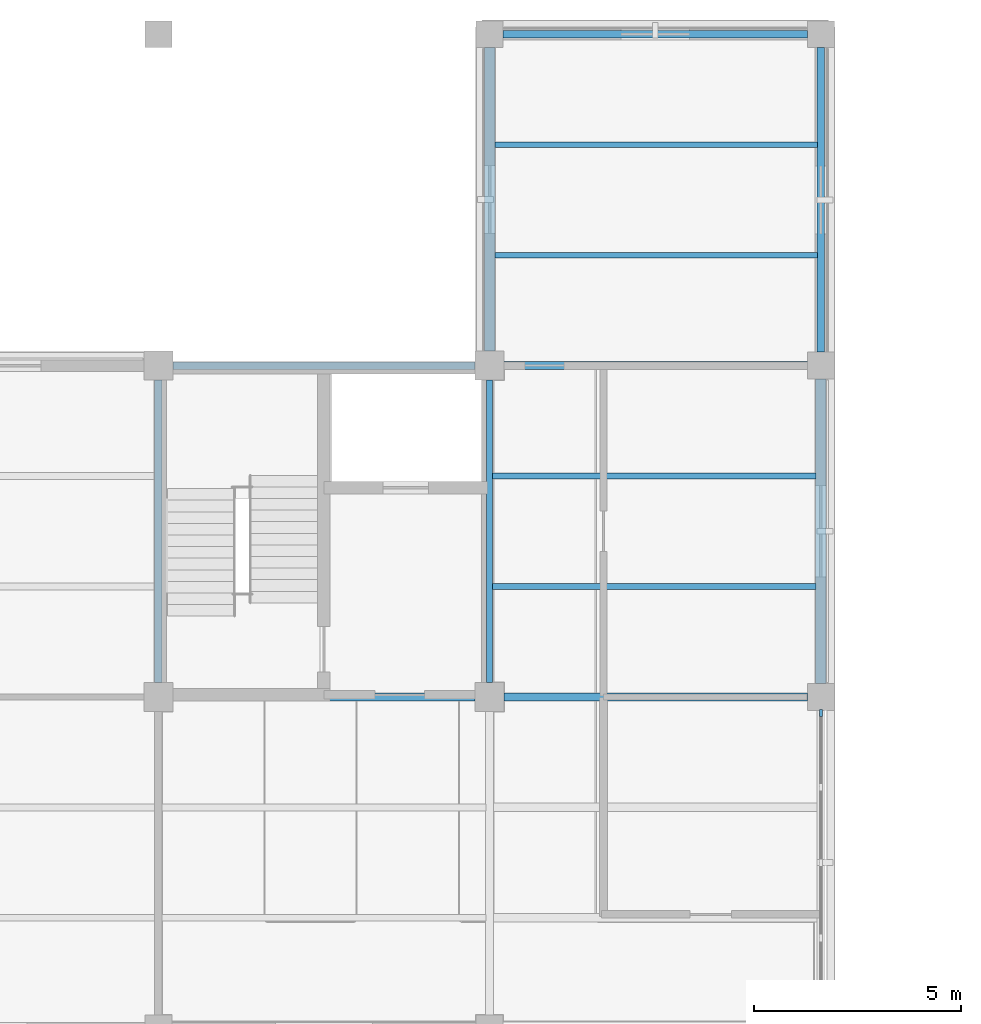
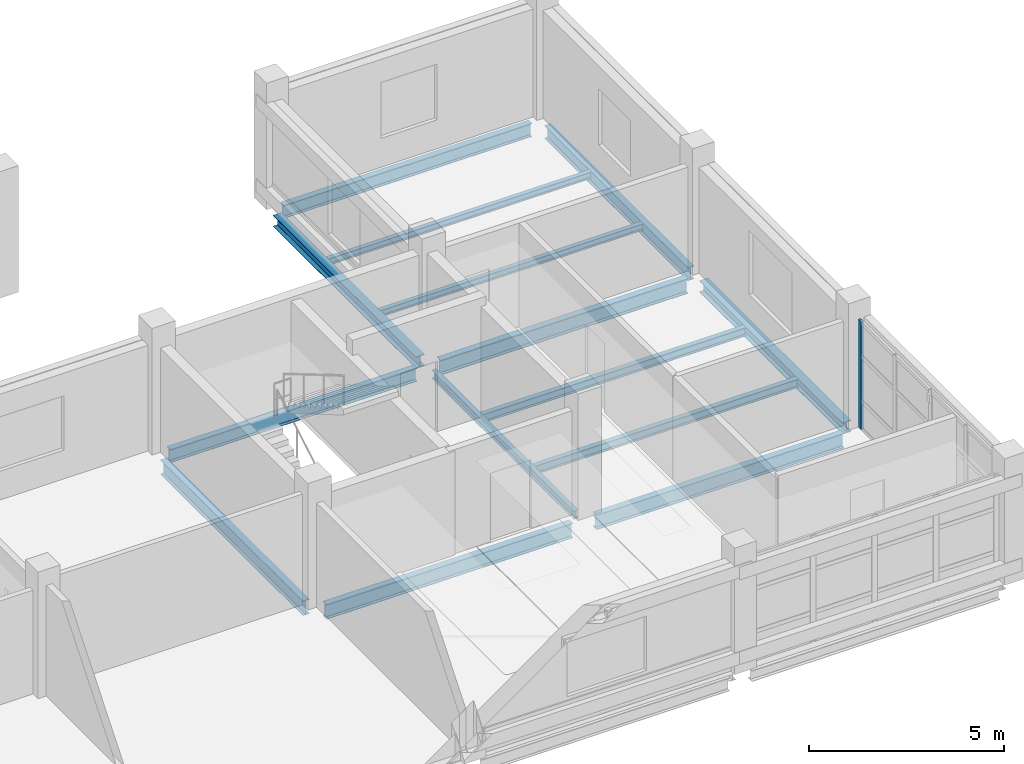
# One storey, part 29 of 92: 14 beams, 1 member, 1 element without a shape of its own.
"""IFC4 building model written with IfcOpenShell, lengths in metres."""

from ifc_helpers import new_model, si_unit, derived_unit, direction, frame, origin, origin_2d, place, context, subcontext, project, spatial, rectangle, i_section, extrude, material, layer, layer_set, material_profile, profile_set, type_object, element, aggregate, save


model = new_model("IFC4")

# Units and contexts
model_context = context("Model", 3, precision=1e-05, world=origin(), true_north=direction((0.0, 1.0)))
body_context = subcontext(model_context, "Body", "Model", "MODEL_VIEW")
ifc_project = project(units=[si_unit("LENGTHUNIT", "METRE"), si_unit("AREAUNIT", "SQUARE_METRE"), si_unit("VOLUMEUNIT", "CUBIC_METRE"), si_unit("PLANEANGLEUNIT", "RADIAN"), si_unit("MASSUNIT", "GRAM", prefix="KILO"), derived_unit("THERMALTRANSMITTANCEUNIT", [(si_unit("MASSUNIT", "GRAM", prefix="KILO"), 1), (si_unit("TIMEUNIT", "SECOND"), -3), (si_unit("THERMODYNAMICTEMPERATUREUNIT", "KELVIN"), -1)])], contexts=[model_context])

# Site, building, storey
site_placement = place(None, origin())
site = spatial("IfcSite", under=ifc_project, at=site_placement, CompositionType="ELEMENT")
building_placement = place(site_placement, origin())
building = spatial("IfcBuilding", under=site, at=building_placement, Name="Veyamyaing Civic Hall", CompositionType="ELEMENT")
storey_placement = place(building_placement, frame((0.0, 0.0, 17.820068359375)))
storey = spatial("IfcBuildingStorey", under=building, at=storey_placement, Name="L04", CompositionType="ELEMENT", Elevation=17.820068359375)

# Beams
ifc_material_1 = material(Name="Steel ASTM A992", Category="steel")
ifc_material_profile_1 = material_profile(ifc_material_1, i_section(OverallWidth=0.19189453125, OverallDepth=0.462890625, WebThickness=0.010498046875, FlangeThickness=0.017578125, FilletRadius=0.010009765625, at=origin_2d()), Name="W460X89")
ifc_profile_set_1 = profile_set([ifc_material_profile_1], Name="Steel ASTM A992")
beam_type_1 = type_object("IfcBeamType", Name="B-08", PredefinedType="BEAM", material=ifc_profile_set_1)
beam_1_placement = place(storey_placement, frame((32.35009765625, 96.0, -0.466552734375), z_axis=(1.0, 0.0, 0.0), x_axis=(0.0, 1.0, 0.0)))
element("IfcBeam", 1, at=beam_1_placement, inside=storey, type_object=beam_type_1, Name="Girder B-08 L04 Grid N 5-6", PredefinedType="BEAM", context=body_context, shape_type="SweptSolid", body=[
    extrude(i_section(OverallWidth=0.19189453125, OverallDepth=0.462890625, WebThickness=0.010498046875, FlangeThickness=0.017578125, FilletRadius=0.010009765625, at=origin_2d()), origin(), (0.0, 0.0, 1.0), 7.2998046875),
])
ifc_material_profile_2 = material_profile(ifc_material_1, i_section(OverallWidth=0.18994140625, OverallDepth=0.45703125, WebThickness=0.009033203125, FlangeThickness=0.014404296875, FilletRadius=0.010009765625, at=origin_2d()), Name="W460X74")
ifc_profile_set_2 = profile_set([ifc_material_profile_2], Name="Steel ASTM A992")
beam_type_2 = type_object("IfcBeamType", Name="B-09", PredefinedType="BEAM", material=ifc_profile_set_2)
beam_2_placement = place(storey_placement, frame((40.35009765625, 96.0, -0.463623046875), z_axis=(1.0, 0.0, 0.0), x_axis=(0.0, 1.0, 0.0)))
element("IfcBeam", 2, at=beam_2_placement, inside=storey, type_object=beam_type_2, Name="Girder B-09 L04 Grid N 6-7", PredefinedType="BEAM", context=body_context, shape_type="SweptSolid", body=[
    extrude(i_section(OverallWidth=0.18994140625, OverallDepth=0.45703125, WebThickness=0.009033203125, FlangeThickness=0.014404296875, FilletRadius=0.010009765625, at=origin_2d()), origin(), (0.0, 0.0, 1.0), 7.324951171875),
])
beam_3_placement = place(storey_placement, frame((32.0, 96.35009765625, -0.463623046875), z_axis=(0.0, 1.0, 0.0), x_axis=(-1.0, 0.0, 0.0)))
element("IfcBeam", 3, at=beam_3_placement, inside=storey, type_object=beam_type_2, Name="Girder B-09 L04 Grid 5 N-P", PredefinedType="BEAM", context=body_context, shape_type="SweptSolid", body=[
    extrude(i_section(OverallWidth=0.18994140625, OverallDepth=0.45703125, WebThickness=0.009033203125, FlangeThickness=0.014404296875, FilletRadius=0.010009765625, at=origin_2d()), origin(), (0.0, 0.0, 1.0), 7.2998046875),
])
ifc_material_profile_3 = material_profile(ifc_material_1, i_section(OverallWidth=0.179931640625, OverallDepth=0.4130859375, WebThickness=0.009765625, FlangeThickness=0.01611328125, FilletRadius=0.010009765625, at=origin_2d()), Name="W410X74")
ifc_profile_set_3 = profile_set([ifc_material_profile_3], Name="Steel ASTM A992")
beam_type_3 = type_object("IfcBeamType", Name="B-10", PredefinedType="SPANDREL", material=ifc_profile_set_3)
for number, where, z_axis, x_axis, name in (
    (4, (40.324951171875, 112.0, -0.441650390625), (1.0, 0.0, 0.0), (0.0, 1.0, 0.0), "Girder B-10 L04 Grid Q 6-7"),
    (5, (48.0, 104.324951171875, -0.441650390625), (0.0, 1.0, 0.0), (-1.0, 0.0, 0.0), "Girder B-10 L04 Grid 7 P-Q"),
):
    element("IfcBeam", number, at=place(storey_placement, frame(where, z_axis=z_axis, x_axis=x_axis)), inside=storey, type_object=beam_type_3, Name=name, PredefinedType="SPANDREL", context=body_context, shape_type="SweptSolid", body=[
        extrude(i_section(OverallWidth=0.179931640625, OverallDepth=0.4130859375, WebThickness=0.009765625, FlangeThickness=0.01611328125, FilletRadius=0.010009765625, at=origin_2d()), origin(), (0.0, 0.0, 1.0), 7.35009765625),
    ])
ifc_material_profile_4 = material_profile(ifc_material_1, i_section(OverallWidth=0.14599609375, OverallDepth=0.258056640625, WebThickness=0.006103515625, FlangeThickness=0.009033203125, FilletRadius=0.010009765625, at=origin_2d()), Name="W250X33")
ifc_profile_set_4 = profile_set([ifc_material_profile_4], Name="Steel ASTM A992")
beam_type_4 = type_object("IfcBeamType", Name="B-12", PredefinedType="BEAM", material=ifc_profile_set_4)
beam_4_placement = place(storey_placement, frame((40.0, 96.35009765625, -0.364013671875), z_axis=(0.0, 1.0, 0.0), x_axis=(-1.0, 0.0, 0.0)))
element("IfcBeam", 6, at=beam_4_placement, inside=storey, type_object=beam_type_4, Name="Girder B-12 L04 Grid 6 N-P", PredefinedType="BEAM", context=body_context, shape_type="SweptSolid", body=[
    extrude(i_section(OverallWidth=0.14599609375, OverallDepth=0.258056640625, WebThickness=0.006103515625, FlangeThickness=0.009033203125, FilletRadius=0.010009765625, at=origin_2d()), origin(), (0.0, 0.0, 1.0), 7.2998046875),
])
ifc_material_profile_5 = material_profile(ifc_material_1, i_section(OverallWidth=0.194091796875, OverallDepth=0.468994140625, WebThickness=0.0126953125, FlangeThickness=0.0205078125, FilletRadius=0.010009765625, at=origin_2d()), Name="W460X106")
ifc_profile_set_5 = profile_set([ifc_material_profile_5], Name="Steel ASTM A992")
beam_type_5 = type_object("IfcBeamType", Name="B-18", PredefinedType="BEAM", material=ifc_profile_set_5)
beam_5_placement = place(storey_placement, frame((40.35009765625, 104.0, -0.469482421875), z_axis=(1.0, 0.0, 0.0), x_axis=(0.0, 1.0, 0.0)))
element("IfcBeam", 7, at=beam_5_placement, inside=storey, type_object=beam_type_5, Name="Girder B-18 L04 Grid P 6-7", PredefinedType="BEAM", context=body_context, shape_type="SweptSolid", body=[
    extrude(i_section(OverallWidth=0.194091796875, OverallDepth=0.468994140625, WebThickness=0.0126953125, FlangeThickness=0.0205078125, FilletRadius=0.010009765625, at=origin_2d()), origin(), (0.0, 0.0, 1.0), 7.324951171875),
])
ifc_material_profile_6 = material_profile(ifc_material_1, i_section(OverallWidth=0.180908203125, OverallDepth=0.4169921875, WebThickness=0.010986328125, FlangeThickness=0.018310546875, FilletRadius=0.010009765625, at=origin_2d()), Name="W410X85")
ifc_profile_set_6 = profile_set([ifc_material_profile_6], Name="Steel ASTM A992")
beam_type_6 = type_object("IfcBeamType", Name="B-19", PredefinedType="SPANDREL", material=ifc_profile_set_6)
beam_6_placement = place(storey_placement, frame((32.35009765625, 104.0, -0.443603515625), z_axis=(1.0, 0.0, 0.0), x_axis=(0.0, 1.0, 0.0)))
element("IfcBeam", 8, at=beam_6_placement, inside=storey, type_object=beam_type_6, Name="Girder B-19 L04 Grid P 5-6", PredefinedType="SPANDREL", context=body_context, shape_type="SweptSolid", body=[
    extrude(i_section(OverallWidth=0.180908203125, OverallDepth=0.4169921875, WebThickness=0.010986328125, FlangeThickness=0.018310546875, FilletRadius=0.010009765625, at=origin_2d()), origin(), (0.0, 0.0, 1.0), 7.2998046875),
])
ifc_material_profile_7 = material_profile(ifc_material_1, i_section(OverallWidth=0.25390625, OverallDepth=0.35302734375, WebThickness=0.009521484375, FlangeThickness=0.016357421875, FilletRadius=0.011962890625, at=origin_2d()), Name="W360X91")
ifc_profile_set_7 = profile_set([ifc_material_profile_7], Name="Steel ASTM A992")
beam_type_7 = type_object("IfcBeamType", Name="B-20", PredefinedType="SPANDREL", material=ifc_profile_set_7)
beam_7_placement = place(storey_placement, frame((40.0, 104.35009765625, -0.41162109375), z_axis=(0.0, 1.0, 0.0), x_axis=(-1.0, 0.0, 0.0)))
element("IfcBeam", 9, at=beam_7_placement, inside=storey, type_object=beam_type_7, Name="Girder B-20 L04 Grid 6 P-Q", PredefinedType="SPANDREL", context=body_context, shape_type="SweptSolid", body=[
    extrude(i_section(OverallWidth=0.25390625, OverallDepth=0.35302734375, WebThickness=0.009521484375, FlangeThickness=0.016357421875, FilletRadius=0.011962890625, at=origin_2d()), origin(), (0.0, 0.0, 1.0), 7.324951171875),
])
beam_8_placement = place(storey_placement, frame((48.0, 96.324951171875, -0.41162109375), z_axis=(0.0, 1.0, 0.0), x_axis=(-1.0, 0.0, 0.0)))
element("IfcBeam", 10, at=beam_8_placement, inside=storey, type_object=beam_type_7, Name="Girder B-20 L04 Grid 7 N-P", PredefinedType="SPANDREL", context=body_context, shape_type="SweptSolid", body=[
    extrude(i_section(OverallWidth=0.25390625, OverallDepth=0.35302734375, WebThickness=0.009521484375, FlangeThickness=0.016357421875, FilletRadius=0.011962890625, at=origin_2d()), origin(), (0.0, 0.0, 1.0), 7.35009765625),
])

# Curtain wall, member
ifc_material_2 = material(Name="Anodised aluminium 6063-T6", Category="aluminium")
ifc_layer = layer(ifc_material_2, 0.159912109375, Name="Anodised aluminium 6063-T6")
ifc_layer_set = layer_set([ifc_layer], Name="Anodised aluminium 6063-T6")
curtain_wall_type = type_object("IfcCurtainWallType", Name="CW-08", PredefinedType="NOTDEFINED", material=ifc_layer_set)
curtain_wall_placement = place(storey_placement, origin())
curtain_wall = element("IfcCurtainWall", 11, at=curtain_wall_placement, inside=storey, type_object=curtain_wall_type, Name="Unitized curtain wall CW-08 L04 E 6.12", PredefinedType="NOTDEFINED")
ifc_material_profile_8 = material_profile(ifc_material_2, rectangle(XDim=0.06494140625, YDim=0.159912109375, at=origin_2d()), Name="ALU-MUL-65X160")
ifc_profile_set_8 = profile_set([ifc_material_profile_8], Name="Anodised aluminium 6063-T6")
member_type = type_object("IfcMemberType", Name="CWM-01", PredefinedType="MULLION", material=ifc_profile_set_8)
member_placement = place(storey_placement, frame((48.0, 95.612548828125, 0.0), z_axis=(0.0, 0.0, 1.0), x_axis=(-1.0, 0.0, 0.0)))
member = element("IfcMember", 12, at=member_placement, type_object=member_type, Name="CW-08 mullion 5", PredefinedType="MULLION", context=body_context, shape_type="SweptSolid", body=[
    extrude(rectangle(XDim=0.06494140625, YDim=0.159912109375, at=origin_2d()), origin(), (0.0, 0.0, 1.0), 3.3740234375),
])
aggregate(curtain_wall, [member])

# Beams
ifc_material_profile_9 = material_profile(ifc_material_1, i_section(OverallWidth=0.14794921875, OverallDepth=0.26611328125, WebThickness=0.007568359375, FlangeThickness=0.012939453125, FilletRadius=0.010009765625, at=origin_2d()), Name="W250X45")
ifc_profile_set_9 = profile_set([ifc_material_profile_9], Name="Steel ASTM A992")
beam_type_8 = type_object("IfcBeamType", Name="J-07", PredefinedType="JOIST", material=ifc_profile_set_9)
for number, where, z_axis, x_axis, name in (
    (13, (40.071044921875, 98.666748046875, -0.3681640625), (1.0, 0.0, 0.0), (0.0, 1.0, 0.0), "Composite floor joist J-07 L04 6.13.1"),
    (14, (40.071044921875, 101.333251953125, -0.3681640625), (1.0, 0.0, 0.0), (0.0, 1.0, 0.0), "Composite floor joist J-07 L04 6.13.2"),
):
    element("IfcBeam", number, at=place(storey_placement, frame(where, z_axis=z_axis, x_axis=x_axis)), inside=storey, type_object=beam_type_8, Name=name, PredefinedType="JOIST", context=body_context, shape_type="SweptSolid", body=[
        extrude(i_section(OverallWidth=0.14794921875, OverallDepth=0.26611328125, WebThickness=0.007568359375, FlangeThickness=0.012939453125, FilletRadius=0.010009765625, at=origin_2d()), origin(), (0.0, 0.0, 1.0), 7.803955078125),
    ])
ifc_material_profile_10 = material_profile(ifc_material_1, i_section(OverallWidth=0.133056640625, OverallDepth=0.20703125, WebThickness=0.005859375, FlangeThickness=0.00830078125, FilletRadius=0.010009765625, at=origin_2d()), Name="W200X27")
ifc_profile_set_10 = profile_set([ifc_material_profile_10], Name="Steel ASTM A992")
beam_type_9 = type_object("IfcBeamType", Name="J-08", PredefinedType="JOIST", material=ifc_profile_set_10)
for number, where, z_axis, x_axis, name in (
    (15, (40.125, 106.666748046875, -0.338623046875), (1.0, 0.0, 0.0), (0.0, 1.0, 0.0), "Composite floor joist J-08 L04 6.14.1"),
    (16, (40.125, 109.333251953125, -0.338623046875), (1.0, 0.0, 0.0), (0.0, 1.0, 0.0), "Composite floor joist J-08 L04 6.14.2"),
):
    element("IfcBeam", number, at=place(storey_placement, frame(where, z_axis=z_axis, x_axis=x_axis)), inside=storey, type_object=beam_type_9, Name=name, PredefinedType="JOIST", context=body_context, shape_type="SweptSolid", body=[
        extrude(i_section(OverallWidth=0.133056640625, OverallDepth=0.20703125, WebThickness=0.005859375, FlangeThickness=0.00830078125, FilletRadius=0.010009765625, at=origin_2d()), origin(), (0.0, 0.0, 1.0), 7.787109375),
    ])

save(model, "model.ifc")
